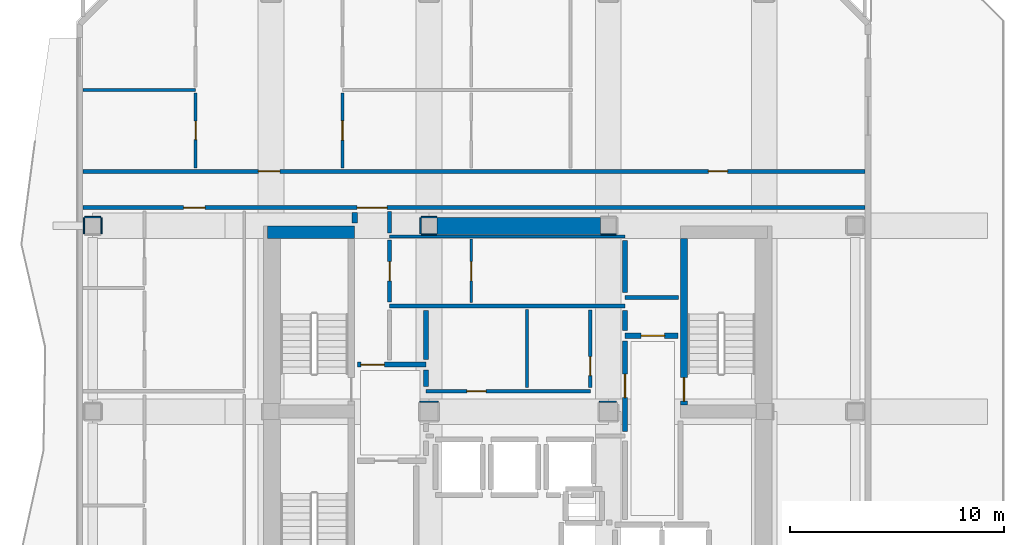
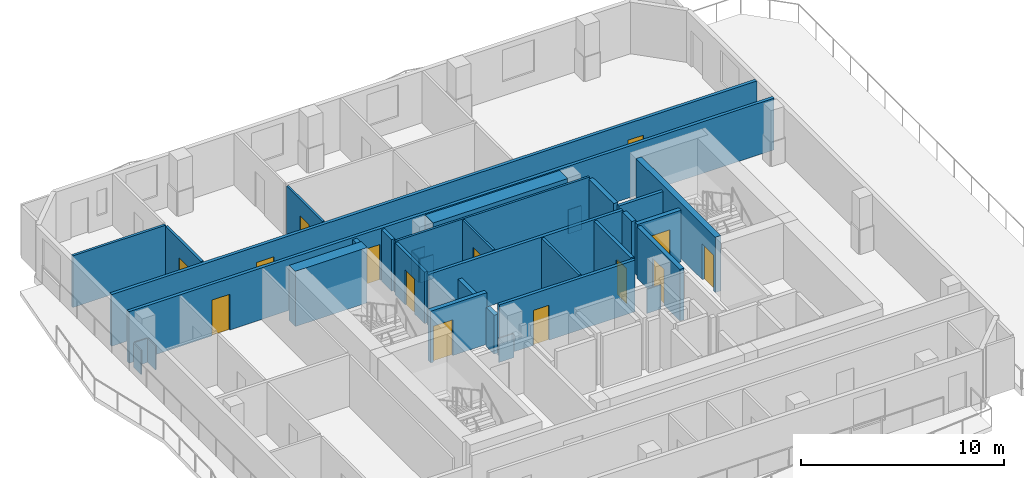
# One storey, part 4 of 10: 34 walls, 14 doors, 14 openings.
"""IFC4 building model written with IfcOpenShell, lengths in metres."""

from ifc_helpers import new_model, si_unit, direction, frame, frame_2d, origin, place, context, subcontext, project, spatial, rectangle, extrude, material, layer, layer_set, type_object, element, fill, save


model = new_model("IFC4")

# Units and contexts
model_context = context("Model", 3, precision=1e-05, world=origin(), true_north=direction((0.0, 1.0)))
body_context = subcontext(model_context, "Body", "Model", "MODEL_VIEW")
ifc_project = project(units=[si_unit("LENGTHUNIT", "METRE"), si_unit("AREAUNIT", "SQUARE_METRE"), si_unit("VOLUMEUNIT", "CUBIC_METRE"), si_unit("PLANEANGLEUNIT", "RADIAN"), si_unit("MASSUNIT", "GRAM", prefix="KILO")], contexts=[model_context])

# Site, building, storey
site_placement = place(None, origin())
site = spatial("IfcSite", under=ifc_project, at=site_placement, CompositionType="ELEMENT")
building_placement = place(site_placement, origin())
building = spatial("IfcBuilding", under=site, at=building_placement, Name="Solanera Arch Residences", CompositionType="ELEMENT")
storey_placement = place(building_placement, frame((0.0, 0.0, 251.199951171875)))
storey = spatial("IfcBuildingStorey", under=building, at=storey_placement, Name="L73", CompositionType="ELEMENT", Elevation=251.199951171875)

# Walls
ifc_material_1 = material(Name="Fire-Rated Gypsum Stud Partition", Category="gypsum")
ifc_layer_1 = layer(ifc_material_1, 0.06005859375)
ifc_layer_set_1 = layer_set([ifc_layer_1], Name="Fire-Rated Gypsum Stud Partition")
wall_type_1 = type_object("IfcWallType", Name="Column Acoustic Furring Wall 60", PredefinedType="PARTITIONING", material=ifc_layer_set_1)
for number, where, z_axis, x_axis, name in (
    (1, (20.425048828125, 38.992919921875, 0.0), (0.0, 0.0, 1.0), (1.0, 0.0, 0.0), "L73 Column Furring 3S"),
    (2, (20.425048828125, 39.806884765625, 0.0), (0.0, 0.0, 1.0), (1.0, 0.0, 0.0), "L73 Column Furring 3N"),
):
    element("IfcWall", number, at=place(storey_placement, frame(where, z_axis=z_axis, x_axis=x_axis)), inside=storey, type_object=wall_type_1, Name=name, PredefinedType="PARTITIONING", context=body_context, shape_type="SweptSolid", body=[
        extrude(rectangle(XDim=0.741943359375, YDim=0.06005859375, at=frame_2d((0.37109375, 0.0))), origin(), (0.0, 0.0, 1.0), 1.449951171875),
    ])
wall_1_placement = place(storey_placement, frame((20.39306640625, 39.02490234375, 0.0), z_axis=(0.0, 0.0, 1.0), x_axis=(0.0, 1.0, 0.0)))
element("IfcWall", 3, at=wall_1_placement, inside=storey, type_object=wall_type_1, Name="L73 Column Furring 3W", PredefinedType="PARTITIONING", context=body_context, shape_type="SweptSolid", body=[
    extrude(rectangle(XDim=0.75, YDim=0.06005859375, at=frame_2d((0.375, 0.0))), origin(), (0.0, 0.0, 1.0), 1.449951171875),
])
wall_2_placement = place(storey_placement, frame((28.8330078125, 38.992919921875, 0.0), z_axis=(0.0, 0.0, 1.0), x_axis=(1.0, 0.0, 0.0)))
element("IfcWall", 4, at=wall_2_placement, inside=storey, type_object=wall_type_1, Name="L73 Column Furring 4S", PredefinedType="PARTITIONING", context=body_context, shape_type="SweptSolid", body=[
    extrude(rectangle(XDim=0.741943359375, YDim=0.06005859375, at=frame_2d((0.37109375, 0.0))), origin(), (0.0, 0.0, 1.0), 1.449951171875),
])
wall_3_placement = place(storey_placement, frame((20.375, 31.156982421875, 0.0), z_axis=(0.0, 0.0, 1.0), x_axis=(1.0, 0.0, 0.0)))
element("IfcWall", 5, at=wall_3_placement, inside=storey, type_object=wall_type_1, Name="L73 Column Furring 7N", PredefinedType="PARTITIONING", context=body_context, shape_type="SweptSolid", body=[
    extrude(rectangle(XDim=0.85009765625, YDim=0.06005859375, at=frame_2d((0.425048828125, 0.0))), origin(), (0.0, 0.0, 1.0), 1.449951171875),
])
wall_4_placement = place(storey_placement, frame((28.77490234375, 31.156982421875, 0.0), z_axis=(0.0, 0.0, 1.0), x_axis=(1.0, 0.0, 0.0)))
element("IfcWall", 6, at=wall_4_placement, inside=storey, type_object=wall_type_1, Name="L73 Column Furring 8N", PredefinedType="PARTITIONING", context=body_context, shape_type="SweptSolid", body=[
    extrude(rectangle(XDim=0.794189453125, YDim=0.06005859375, at=frame_2d((0.39697265625, 0.0))), origin(), (0.0, 0.0, 1.0), 1.449951171875),
])
for number, where, z_axis, x_axis, name in (
    (7, (4.675048828125, 39.806884765625, 0.0), (0.0, 0.0, 1.0), (1.0, 0.0, 0.0), "L73 Column Furring 21N"),
    (8, (4.64306640625, 39.02490234375, 0.0), (0.0, 0.0, 1.0), (0.0, 1.0, 0.0), "L73 Column Furring 21W"),
    (9, (5.45703125, 39.02490234375, 0.0), (0.0, 0.0, 1.0), (0.0, 1.0, 0.0), "L73 Column Furring 21E"),
):
    element("IfcWall", number, at=place(storey_placement, frame(where, z_axis=z_axis, x_axis=x_axis)), inside=storey, type_object=wall_type_1, Name=name, PredefinedType="PARTITIONING", context=body_context, shape_type="SweptSolid", body=[
        extrude(rectangle(XDim=0.75, YDim=0.06005859375, at=frame_2d((0.375, 0.0))), origin(), (0.0, 0.0, 1.0), 1.449951171875),
    ])

# Wall, opening, door
ifc_material_2 = material(Name="Concrete C40/50 (f'c = 45 MPa)", Category="concrete")
ifc_layer_2 = layer(ifc_material_2, 0.320068359375)
ifc_layer_set_2 = layer_set([ifc_layer_2], Name="Concrete C40/50 (f'c = 45 MPa)")
wall_type_2 = type_object("IfcWallType", Name="Core Shear Wall CW-320", PredefinedType="SHEAR", material=ifc_layer_set_2)
wall_5_placement = place(storey_placement, frame((32.739990234375, 31.0, 0.0), z_axis=(0.0, 0.0, 1.0), x_axis=(0.0, 1.0, 0.0)))
wall_5 = element("IfcWall", 10, at=wall_5_placement, inside=storey, type_object=wall_type_2, Name="L73 Stair ST-T2 West Shear Wall", PredefinedType="SHEAR", context=body_context, shape_type="SweptSolid", body=[
    extrude(rectangle(XDim=7.800048828125, YDim=0.320068359375, at=frame_2d((3.89990234375, 0.0))), origin(), (0.0, 0.0, 1.0), 3.320068359375),
])
opening_1_placement = place(wall_5_placement, frame((0.18994140625, 0.0, 0.0)))
opening_1 = element("IfcOpeningElement", 11, at=opening_1_placement, cuts=wall_5, Name="Opening DF-01", PredefinedType="OPENING", context=body_context, shape_type="SweptSolid", body=[
    extrude(rectangle(XDim=1.10009765625, YDim=2.14990234375, at=frame_2d((0.550048828125, 1.074951171875))), frame((0.0, 0.169921875, 0.0), z_axis=(0.0, -1.0, 0.0), x_axis=(1.0, 0.0, 0.0)), (0.0, 0.0, 1.0), 0.3401),
])
ifc_material_3 = material(Name="Fire-Rated Architectural Hardwood", Category="wood")
door_type_1 = type_object("IfcDoorType", Name="Stair Exit Fire Door DF-01", OperationType="NOTDEFINED", PredefinedType="DOOR", material=ifc_material_3)
door_1_placement = place(opening_1_placement, origin())
door_1 = element("IfcDoor", 12, at=door_1_placement, inside=storey, type_object=door_type_1, Name="DR-L73-STAIR-ST-T2", OperationType="SINGLE_SWING_RIGHT", OverallHeight=2.14990234375, OverallWidth=1.10009765625, PredefinedType="DOOR", context=body_context, shape_type="SweptSolid", body=[
    extrude(rectangle(XDim=1.10009765625, YDim=2.14990234375, at=frame_2d((0.550048828125, 1.074951171875))), frame((0.0, 0.02490234375, 0.0), z_axis=(0.0, -1.0, 0.0), x_axis=(1.0, 0.0, 0.0)), (0.0, 0.0, 1.0), 0.050048828125),
])
fill(opening_1, door_1)

# Walls
ifc_material_4 = material(Name="Concrete C40/50 (f'c = 45 MPa)", Category="concrete")
ifc_layer_3 = layer(ifc_material_4, 0.60009765625)
ifc_layer_set_3 = layer_set([ifc_layer_3], Name="Concrete C40/50 (f'c = 45 MPa)")
wall_type_3 = type_object("IfcWallType", Name="Core Shear Wall CW-600", PredefinedType="SHEAR", material=ifc_layer_set_3)
wall_6_placement = place(storey_placement, frame((13.239990234375, 39.10009765625, 0.0), z_axis=(0.0, 0.0, 1.0), x_axis=(1.0, 0.0, 0.0)))
element("IfcWall", 13, at=wall_6_placement, inside=storey, type_object=wall_type_3, Name="L73 North-West Core Shear Wall", PredefinedType="SHEAR", context=body_context, shape_type="SweptSolid", body=[
    extrude(rectangle(XDim=4.080078125, YDim=0.60009765625, at=frame_2d((2.0400390625, 0.0))), origin(), (0.0, 0.0, 1.0), 3.320068359375),
])
ifc_material_5 = material(Name="Concrete C40/50 (f'c = 45 MPa)", Category="concrete")
ifc_layer_4 = layer(ifc_material_5, 0.800048828125)
ifc_layer_set_4 = layer_set([ifc_layer_4], Name="Concrete C40/50 (f'c = 45 MPa)")
wall_type_4 = type_object("IfcWallType", Name="Core Shear Wall CW-800", PredefinedType="SHEAR", material=ifc_layer_set_4)
wall_7_placement = place(storey_placement, frame((21.179931640625, 39.39990234375, 0.0), z_axis=(0.0, 0.0, 1.0), x_axis=(1.0, 0.0, 0.0)))
element("IfcWall", 14, at=wall_7_placement, inside=storey, type_object=wall_type_4, Name="L73 Central North Core Shear Wall", PredefinedType="SHEAR", context=body_context, shape_type="SweptSolid", body=[
    extrude(rectangle(XDim=7.64013671875, YDim=0.800048828125, at=frame_2d((3.820068359375, 0.0))), origin(), (0.0, 0.0, 1.0), 3.320068359375),
])

# Wall, opening, door
ifc_material_6 = material(Name="Autoclaved Aerated Concrete Blockwork", Category="masonry")
ifc_layer_5 = layer(ifc_material_6, 0.179931640625)
ifc_layer_set_5 = layer_set([ifc_layer_5], Name="Autoclaved Aerated Concrete Blockwork")
wall_type_5 = type_object("IfcWallType", Name="Corridor Fire Partition 180", PredefinedType="PARTITIONING", material=ifc_layer_set_5)
wall_8_placement = place(storey_placement, frame((20.64990234375, 31.64990234375, 0.0), z_axis=(0.0, 0.0, 1.0), x_axis=(1.0, 0.0, 0.0)))
wall_8 = element("IfcWall", 15, at=wall_8_placement, inside=storey, type_object=wall_type_5, Name="L73 Interior Partition H9", PredefinedType="PARTITIONING", context=body_context, shape_type="SweptSolid", body=[
    extrude(rectangle(XDim=7.7001953125, YDim=0.179931640625, at=frame_2d((3.85009765625, 0.0))), origin(), (0.0, 0.0, 1.0), 3.10009765625),
])
opening_2_placement = place(wall_8_placement, frame((1.924072265625, 0.0, 0.0)))
opening_2 = element("IfcOpeningElement", 16, at=opening_2_placement, cuts=wall_8, Name="Opening DI-02", PredefinedType="OPENING", context=body_context, shape_type="SweptSolid", body=[
    extrude(rectangle(XDim=0.89990234375, YDim=2.10009765625, at=frame_2d((0.449951171875, 1.050048828125))), frame((0.0, 0.10009765625, 0.0), z_axis=(0.0, -1.0, 0.0), x_axis=(1.0, 0.0, 0.0)), (0.0, 0.0, 1.0), 0.1999),
])
ifc_material_7 = material(Name="Fire-Rated Architectural Hardwood", Category="wood")
door_type_2 = type_object("IfcDoorType", Name="Suite Room Swing Door DI-02", OperationType="NOTDEFINED", PredefinedType="DOOR", material=ifc_material_7)
door_2_placement = place(opening_2_placement, origin())
door_2 = element("IfcDoor", 17, at=door_2_placement, inside=storey, type_object=door_type_2, Name="DR-L73-IN-012", OperationType="SINGLE_SWING_RIGHT", OverallHeight=2.10009765625, OverallWidth=0.89990234375, PredefinedType="DOOR", context=body_context, shape_type="SweptSolid", body=[
    extrude(rectangle(XDim=0.89990234375, YDim=2.10009765625, at=frame_2d((0.449951171875, 1.050048828125))), frame((0.0, 0.02490234375, 0.0), z_axis=(0.0, -1.0, 0.0), x_axis=(1.0, 0.0, 0.0)), (0.0, 0.0, 1.0), 0.050048828125),
])
fill(opening_2, door_2)

# Walls
wall_9_placement = place(storey_placement, frame((18.949951171875, 35.64990234375, 0.0), z_axis=(0.0, 0.0, 1.0), x_axis=(1.0, 0.0, 0.0)))
element("IfcWall", 18, at=wall_9_placement, inside=storey, type_object=wall_type_5, Name="L73 Interior Partition H10", PredefinedType="PARTITIONING", context=body_context, shape_type="SweptSolid", body=[
    extrude(rectangle(XDim=11.025146484375, YDim=0.179931640625, at=frame_2d((5.5126953125, 0.0))), origin(), (0.0, 0.0, 1.0), 3.10009765625),
])
wall_10_placement = place(storey_placement, frame((29.97509765625, 36.050048828125, 0.0), z_axis=(0.0, 0.0, 1.0), x_axis=(1.0, 0.0, 0.0)))
element("IfcWall", 19, at=wall_10_placement, inside=storey, type_object=wall_type_5, Name="L73 Interior Partition H11", PredefinedType="PARTITIONING", context=body_context, shape_type="SweptSolid", body=[
    extrude(rectangle(XDim=2.5048828125, YDim=0.179931640625, at=frame_2d((1.25244140625, 0.0))), origin(), (0.0, 0.0, 1.0), 3.10009765625),
])

# Wall, openings, doors
wall_11_placement = place(storey_placement, frame((4.5869140625, 40.25, 0.0), z_axis=(0.0, 0.0, 1.0), x_axis=(1.0, 0.0, 0.0)))
wall_11 = element("IfcWall", 20, at=wall_11_placement, inside=storey, type_object=wall_type_5, Name="L73 Interior Partition H12", PredefinedType="PARTITIONING", context=body_context, shape_type="SweptSolid", body=[
    extrude(rectangle(XDim=36.6259765625, YDim=0.179931640625, at=frame_2d((18.31298828125, 0.0))), origin(), (0.0, 0.0, 1.0), 3.10009765625),
])
opening_3_placement = place(wall_11_placement, frame((12.847900390625, 0.0, 0.0)))
opening_3 = element("IfcOpeningElement", 21, at=opening_3_placement, cuts=wall_11, Name="Opening DF-03", PredefinedType="OPENING", context=body_context, shape_type="SweptSolid", body=[
    extrude(rectangle(XDim=1.39990234375, YDim=2.14990234375, at=frame_2d((0.699951171875, 1.074951171875))), frame((0.0, 0.10009765625, 0.0), z_axis=(0.0, -1.0, 0.0), x_axis=(1.0, 0.0, 0.0)), (0.0, 0.0, 1.0), 0.1999),
])
opening_4_placement = place(wall_11_placement, frame((4.722900390625, 0.0, 0.0)))
opening_4 = element("IfcOpeningElement", 22, at=opening_4_placement, cuts=wall_11, Name="Opening DI-01", PredefinedType="OPENING", context=body_context, shape_type="SweptSolid", body=[
    extrude(rectangle(XDim=1.0, YDim=2.14990234375, at=frame_2d((0.5, 1.074951171875))), frame((0.0, 0.10009765625, 0.0), z_axis=(0.0, -1.0, 0.0), x_axis=(1.0, 0.0, 0.0)), (0.0, 0.0, 1.0), 0.1999),
])
ifc_material_8 = material(Name="Fire-Rated Architectural Hardwood", Category="wood")
door_type_3 = type_object("IfcDoorType", Name="Corridor Smoke Door DF-03", OperationType="NOTDEFINED", PredefinedType="DOOR", material=ifc_material_8)
door_3_placement = place(opening_3_placement, origin())
door_3 = element("IfcDoor", 23, at=door_3_placement, inside=storey, type_object=door_type_3, Name="DR-L73-IN-009", OperationType="SINGLE_SWING_LEFT", OverallHeight=2.14990234375, OverallWidth=1.39990234375, PredefinedType="DOOR", context=body_context, shape_type="SweptSolid", body=[
    extrude(rectangle(XDim=1.39990234375, YDim=2.14990234375, at=frame_2d((0.699951171875, 1.074951171875))), frame((0.0, 0.02490234375, 0.0), z_axis=(0.0, -1.0, 0.0), x_axis=(1.0, 0.0, 0.0)), (0.0, 0.0, 1.0), 0.050048828125),
])
fill(opening_3, door_3)
ifc_material_9 = material(Name="Fire-Rated Architectural Hardwood", Category="wood")
door_type_4 = type_object("IfcDoorType", Name="Unit Entrance Fire Door DI-01", OperationType="NOTDEFINED", PredefinedType="DOOR", material=ifc_material_9)
door_4_placement = place(opening_4_placement, origin())
door_4 = element("IfcDoor", 24, at=door_4_placement, inside=storey, type_object=door_type_4, Name="DR-L73-IN-031", OperationType="SINGLE_SWING_LEFT", OverallHeight=2.14990234375, OverallWidth=1.0, PredefinedType="DOOR", context=body_context, shape_type="SweptSolid", body=[
    extrude(rectangle(XDim=1.0, YDim=2.14990234375, at=frame_2d((0.5, 1.074951171875))), frame((0.0, 0.02490234375, 0.0), z_axis=(0.0, -1.0, 0.0), x_axis=(1.0, 0.0, 0.0)), (0.0, 0.0, 1.0), 0.050048828125),
])
fill(opening_4, door_4)

wall_12_placement = place(storey_placement, frame((4.5869140625, 41.949951171875, 0.0), z_axis=(0.0, 0.0, 1.0), x_axis=(1.0, 0.0, 0.0)))
wall_12 = element("IfcWall", 25, at=wall_12_placement, inside=storey, type_object=wall_type_5, Name="L73 Interior Partition H13", PredefinedType="PARTITIONING", context=body_context, shape_type="SweptSolid", body=[
    extrude(rectangle(XDim=36.6259765625, YDim=0.179931640625, at=frame_2d((18.31298828125, 0.0))), origin(), (0.0, 0.0, 1.0), 3.10009765625),
])
opening_5_placement = place(wall_12_placement, frame((8.222900390625, 0.0, 0.0)))
opening_5 = element("IfcOpeningElement", 26, at=opening_5_placement, cuts=wall_12, Name="Opening DI-01", PredefinedType="OPENING", context=body_context, shape_type="SweptSolid", body=[
    extrude(rectangle(XDim=1.0, YDim=2.14990234375, at=frame_2d((0.5, 1.074951171875))), frame((0.0, 0.10009765625, 0.0), z_axis=(0.0, -1.0, 0.0), x_axis=(1.0, 0.0, 0.0)), (0.0, 0.0, 1.0), 0.1999),
])
opening_6_placement = place(wall_12_placement, frame((29.299072265625, 0.0, 0.0)))
opening_6 = element("IfcOpeningElement", 27, at=opening_6_placement, cuts=wall_12, Name="Opening DI-02", PredefinedType="OPENING", context=body_context, shape_type="SweptSolid", body=[
    extrude(rectangle(XDim=0.89990234375, YDim=2.10009765625, at=frame_2d((0.449951171875, 1.050048828125))), frame((0.0, 0.10009765625, 0.0), z_axis=(0.0, -1.0, 0.0), x_axis=(1.0, 0.0, 0.0)), (0.0, 0.0, 1.0), 0.1999),
])
door_5_placement = place(opening_6_placement, origin())
door_5 = element("IfcDoor", 28, at=door_5_placement, inside=storey, type_object=door_type_2, Name="DR-L73-IN-027", OperationType="SINGLE_SWING_LEFT", OverallHeight=2.10009765625, OverallWidth=0.89990234375, PredefinedType="DOOR", context=body_context, shape_type="SweptSolid", body=[
    extrude(rectangle(XDim=0.89990234375, YDim=2.10009765625, at=frame_2d((0.449951171875, 1.050048828125))), frame((0.0, 0.02490234375, 0.0), z_axis=(0.0, -1.0, 0.0), x_axis=(1.0, 0.0, 0.0)), (0.0, 0.0, 1.0), 0.050048828125),
])
fill(opening_6, door_5)
door_6_placement = place(opening_5_placement, origin())
door_6 = element("IfcDoor", 29, at=door_6_placement, inside=storey, type_object=door_type_4, Name="DR-L73-IN-020", OperationType="SINGLE_SWING_RIGHT", OverallHeight=2.14990234375, OverallWidth=1.0, PredefinedType="DOOR", context=body_context, shape_type="SweptSolid", body=[
    extrude(rectangle(XDim=1.0, YDim=2.14990234375, at=frame_2d((0.5, 1.074951171875))), frame((0.0, 0.02490234375, 0.0), z_axis=(0.0, -1.0, 0.0), x_axis=(1.0, 0.0, 0.0)), (0.0, 0.0, 1.0), 0.050048828125),
])
fill(opening_5, door_6)

# Wall, opening, door
wall_13_placement = place(storey_placement, frame((18.949951171875, 35.837890625, 0.0), z_axis=(0.0, 0.0, 1.0), x_axis=(0.0, 1.0, 0.0)))
wall_13 = element("IfcWall", 30, at=wall_13_placement, inside=storey, type_object=wall_type_5, Name="L73 Interior Partition V7 2", PredefinedType="PARTITIONING", context=body_context, shape_type="SweptSolid", body=[
    extrude(rectangle(XDim=2.904052734375, YDim=0.179931640625, at=frame_2d((1.4521484375, 0.0))), origin(), (0.0, 0.0, 1.0), 3.10009765625),
])
opening_7_placement = place(wall_13_placement, frame((0.987060546875, 0.0, 0.0)))
opening_7 = element("IfcOpeningElement", 31, at=opening_7_placement, cuts=wall_13, Name="Opening DI-02", PredefinedType="OPENING", context=body_context, shape_type="SweptSolid", body=[
    extrude(rectangle(XDim=0.89990234375, YDim=2.10009765625, at=frame_2d((0.449951171875, 1.050048828125))), frame((0.0, 0.10009765625, 0.0), z_axis=(0.0, -1.0, 0.0), x_axis=(1.0, 0.0, 0.0)), (0.0, 0.0, 1.0), 0.1999),
])
door_7_placement = place(opening_7_placement, origin())
door_7 = element("IfcDoor", 32, at=door_7_placement, inside=storey, type_object=door_type_2, Name="DR-L73-IN-010", OperationType="SINGLE_SWING_RIGHT", OverallHeight=2.10009765625, OverallWidth=0.89990234375, PredefinedType="DOOR", context=body_context, shape_type="SweptSolid", body=[
    extrude(rectangle(XDim=0.89990234375, YDim=2.10009765625, at=frame_2d((0.449951171875, 1.050048828125))), frame((0.0, 0.02490234375, 0.0), z_axis=(0.0, -1.0, 0.0), x_axis=(1.0, 0.0, 0.0)), (0.0, 0.0, 1.0), 0.050048828125),
])
fill(opening_7, door_7)

# Wall
wall_14_placement = place(storey_placement, frame((18.949951171875, 39.05810546875, 0.0), z_axis=(0.0, 0.0, 1.0), x_axis=(0.0, 1.0, 0.0)))
element("IfcWall", 33, at=wall_14_placement, inside=storey, type_object=wall_type_5, Name="L73 Interior Partition V7 3", PredefinedType="PARTITIONING", context=body_context, shape_type="SweptSolid", body=[
    extrude(rectangle(XDim=1.00390625, YDim=0.179931640625, at=frame_2d((0.501953125, 0.0))), origin(), (0.0, 0.0, 1.0), 3.10009765625),
])

# Wall, opening, door
wall_15_placement = place(storey_placement, frame((28.35009765625, 31.837890625, 0.0), z_axis=(0.0, 0.0, 1.0), x_axis=(0.0, 1.0, 0.0)))
wall_15 = element("IfcWall", 34, at=wall_15_placement, inside=storey, type_object=wall_type_5, Name="L73 Interior Partition V8", PredefinedType="PARTITIONING", context=body_context, shape_type="SweptSolid", body=[
    extrude(rectangle(XDim=3.6240234375, YDim=0.179931640625, at=frame_2d((1.81201171875, 0.0))), origin(), (0.0, 0.0, 1.0), 3.10009765625),
])
opening_8_placement = place(wall_15_placement, frame((0.541015625, 0.0, 0.0)))
opening_8 = element("IfcOpeningElement", 35, at=opening_8_placement, cuts=wall_15, Name="Opening DI-02", PredefinedType="OPENING", context=body_context, shape_type="SweptSolid", body=[
    extrude(rectangle(XDim=0.89990234375, YDim=2.10009765625, at=frame_2d((0.449951171875, 1.050048828125))), frame((0.0, 0.10009765625, 0.0), z_axis=(0.0, -1.0, 0.0), x_axis=(1.0, 0.0, 0.0)), (0.0, 0.0, 1.0), 0.1999),
])
door_8_placement = place(opening_8_placement, origin())
door_8 = element("IfcDoor", 36, at=door_8_placement, inside=storey, type_object=door_type_2, Name="DR-L73-IN-013", OperationType="SINGLE_SWING_LEFT", OverallHeight=2.10009765625, OverallWidth=0.89990234375, PredefinedType="DOOR", context=body_context, shape_type="SweptSolid", body=[
    extrude(rectangle(XDim=0.89990234375, YDim=2.10009765625, at=frame_2d((0.449951171875, 1.050048828125))), frame((0.0, 0.02490234375, 0.0), z_axis=(0.0, -1.0, 0.0), x_axis=(1.0, 0.0, 0.0)), (0.0, 0.0, 1.0), 0.050048828125),
])
fill(opening_8, door_8)

ifc_material_10 = material(Name="Autoclaved Aerated Concrete Blockwork", Category="masonry")
ifc_layer_6 = layer(ifc_material_10, 0.239990234375)
ifc_layer_set_6 = layer_set([ifc_layer_6], Name="Autoclaved Aerated Concrete Blockwork")
wall_type_6 = type_object("IfcWallType", Name="Shaft Wall Fire-Rated 240", PredefinedType="PARTITIONING", material=ifc_layer_set_6)
wall_16_placement = place(storey_placement, frame((17.449951171875, 32.89990234375, 0.0), z_axis=(0.0, 0.0, 1.0), x_axis=(1.0, 0.0, 0.0)))
wall_16 = element("IfcWall", 37, at=wall_16_placement, inside=storey, type_object=wall_type_6, Name="L73 Interior Partition H4", PredefinedType="PARTITIONING", context=body_context, shape_type="SweptSolid", body=[
    extrude(rectangle(XDim=3.199951171875, YDim=0.239990234375, at=frame_2d((1.60009765625, 0.0))), origin(), (0.0, 0.0, 1.0), 3.10009765625),
])
opening_9_placement = place(wall_16_placement, frame((0.158935546875, 0.0, 0.0)))
opening_9 = element("IfcOpeningElement", 38, at=opening_9_placement, cuts=wall_16, Name="Opening DF-02", PredefinedType="OPENING", context=body_context, shape_type="SweptSolid", body=[
    extrude(rectangle(XDim=1.10009765625, YDim=2.14990234375, at=frame_2d((0.550048828125, 1.074951171875))), frame((0.0, 0.1298828125, 0.0), z_axis=(0.0, -1.0, 0.0), x_axis=(1.0, 0.0, 0.0)), (0.0, 0.0, 1.0), 0.26),
])
ifc_material_11 = material(Name="Fire-Rated Architectural Hardwood", Category="wood")
door_type_5 = type_object("IfcDoorType", Name="Firefighting Lobby Fire Door DF-02", OperationType="NOTDEFINED", PredefinedType="DOOR", material=ifc_material_11)
door_9_placement = place(opening_9_placement, origin())
door_9 = element("IfcDoor", 39, at=door_9_placement, inside=storey, type_object=door_type_5, Name="DR-L73-IN-005", OperationType="SINGLE_SWING_LEFT", OverallHeight=2.14990234375, OverallWidth=1.10009765625, PredefinedType="DOOR", context=body_context, shape_type="SweptSolid", body=[
    extrude(rectangle(XDim=1.10009765625, YDim=2.14990234375, at=frame_2d((0.550048828125, 1.074951171875))), frame((0.0, 0.02490234375, 0.0), z_axis=(0.0, -1.0, 0.0), x_axis=(1.0, 0.0, 0.0)), (0.0, 0.0, 1.0), 0.050048828125),
])
fill(opening_9, door_9)

wall_17_placement = place(storey_placement, frame((29.97509765625, 34.25, 0.0), z_axis=(0.0, 0.0, 1.0), x_axis=(1.0, 0.0, 0.0)))
wall_17 = element("IfcWall", 40, at=wall_17_placement, inside=storey, type_object=wall_type_6, Name="L73 Interior Partition H5", PredefinedType="PARTITIONING", context=body_context, shape_type="SweptSolid", body=[
    extrude(rectangle(XDim=2.474853515625, YDim=0.239990234375, at=frame_2d((1.2373046875, 0.0))), origin(), (0.0, 0.0, 1.0), 3.10009765625),
])
opening_10_placement = place(wall_17_placement, frame((0.751953125, 0.0, 0.0)))
opening_10 = element("IfcOpeningElement", 41, at=opening_10_placement, cuts=wall_17, Name="Opening DF-02", PredefinedType="OPENING", context=body_context, shape_type="SweptSolid", body=[
    extrude(rectangle(XDim=1.10009765625, YDim=2.14990234375, at=frame_2d((0.550048828125, 1.074951171875))), frame((0.0, 0.1298828125, 0.0), z_axis=(0.0, -1.0, 0.0), x_axis=(1.0, 0.0, 0.0)), (0.0, 0.0, 1.0), 0.26),
])
door_10_placement = place(opening_10_placement, origin())
door_10 = element("IfcDoor", 42, at=door_10_placement, inside=storey, type_object=door_type_5, Name="DR-L73-IN-007", OperationType="SINGLE_SWING_LEFT", OverallHeight=2.14990234375, OverallWidth=1.10009765625, PredefinedType="DOOR", context=body_context, shape_type="SweptSolid", body=[
    extrude(rectangle(XDim=1.10009765625, YDim=2.14990234375, at=frame_2d((0.550048828125, 1.074951171875))), frame((0.0, 0.02490234375, 0.0), z_axis=(0.0, -1.0, 0.0), x_axis=(1.0, 0.0, 0.0)), (0.0, 0.0, 1.0), 0.050048828125),
])
fill(opening_10, door_10)

# Walls
wall_18_placement = place(storey_placement, frame((17.320068359375, 39.530029296875, 0.0), z_axis=(0.0, 0.0, 1.0), x_axis=(0.0, 1.0, 0.0)))
element("IfcWall", 43, at=wall_18_placement, inside=storey, type_object=wall_type_6, Name="L73 Interior Partition V1", PredefinedType="PARTITIONING", context=body_context, shape_type="SweptSolid", body=[
    extrude(rectangle(XDim=0.501953125, YDim=0.239990234375, at=frame_2d((0.2509765625, 0.0))), origin(), (0.0, 0.0, 1.0), 3.10009765625),
])
wall_19_placement = place(storey_placement, frame((20.64990234375, 31.867919921875, 0.0), z_axis=(0.0, 0.0, 1.0), x_axis=(0.0, 1.0, 0.0)))
element("IfcWall", 44, at=wall_19_placement, inside=storey, type_object=wall_type_6, Name="L73 Interior Partition V3 3", PredefinedType="PARTITIONING", context=body_context, shape_type="SweptSolid", body=[
    extrude(rectangle(XDim=0.7841796875, YDim=0.239990234375, at=frame_2d((0.39208984375, 0.0))), origin(), (0.0, 0.0, 1.0), 2.3349609375),
])
wall_20_placement = place(storey_placement, frame((20.64990234375, 33.14794921875, 0.0), z_axis=(0.0, 0.0, 1.0), x_axis=(0.0, 1.0, 0.0)))
element("IfcWall", 45, at=wall_20_placement, inside=storey, type_object=wall_type_6, Name="L73 Interior Partition V3 4", PredefinedType="PARTITIONING", context=body_context, shape_type="SweptSolid", body=[
    extrude(rectangle(XDim=2.283935546875, YDim=0.239990234375, at=frame_2d((1.14208984375, 0.0))), origin(), (0.0, 0.0, 1.0), 2.3349609375),
])

# Wall, opening, door
wall_21_placement = place(storey_placement, frame((29.97509765625, 29.76806640625, 0.0), z_axis=(0.0, 0.0, 1.0), x_axis=(0.0, 1.0, 0.0)))
wall_21 = element("IfcWall", 46, at=wall_21_placement, inside=storey, type_object=wall_type_6, Name="L73 Interior Partition V4 2", PredefinedType="PARTITIONING", context=body_context, shape_type="SweptSolid", body=[
    extrude(rectangle(XDim=4.23388671875, YDim=0.239990234375, at=frame_2d((2.116943359375, 0.0))), origin(), (0.0, 0.0, 1.0), 3.10009765625),
])
opening_11_placement = place(wall_21_placement, frame((1.58203125, 0.0, 0.0)))
opening_11 = element("IfcOpeningElement", 47, at=opening_11_placement, cuts=wall_21, Name="Opening DF-02", PredefinedType="OPENING", context=body_context, shape_type="SweptSolid", body=[
    extrude(rectangle(XDim=1.10009765625, YDim=2.14990234375, at=frame_2d((0.550048828125, 1.074951171875))), frame((0.0, 0.1298828125, 0.0), z_axis=(0.0, -1.0, 0.0), x_axis=(1.0, 0.0, 0.0)), (0.0, 0.0, 1.0), 0.26),
])
door_11_placement = place(opening_11_placement, origin())
door_11 = element("IfcDoor", 48, at=door_11_placement, inside=storey, type_object=door_type_5, Name="DR-L73-IN-006", OperationType="SINGLE_SWING_RIGHT", OverallHeight=2.14990234375, OverallWidth=1.10009765625, PredefinedType="DOOR", context=body_context, shape_type="SweptSolid", body=[
    extrude(rectangle(XDim=1.10009765625, YDim=2.14990234375, at=frame_2d((0.550048828125, 1.074951171875))), frame((0.0, 0.02490234375, 0.0), z_axis=(0.0, -1.0, 0.0), x_axis=(1.0, 0.0, 0.0)), (0.0, 0.0, 1.0), 0.050048828125),
])
fill(opening_11, door_11)

# Walls
wall_22_placement = place(storey_placement, frame((29.97509765625, 34.498046875, 0.0), z_axis=(0.0, 0.0, 1.0), x_axis=(0.0, 1.0, 0.0)))
element("IfcWall", 49, at=wall_22_placement, inside=storey, type_object=wall_type_6, Name="L73 Interior Partition V4 3", PredefinedType="PARTITIONING", context=body_context, shape_type="SweptSolid", body=[
    extrude(rectangle(XDim=0.933837890625, YDim=0.239990234375, at=frame_2d((0.466796875, 0.0))), origin(), (0.0, 0.0, 1.0), 3.10009765625),
])
wall_23_placement = place(storey_placement, frame((29.97509765625, 36.26806640625, 0.0), z_axis=(0.0, 0.0, 1.0), x_axis=(0.0, 1.0, 0.0)))
element("IfcWall", 50, at=wall_23_placement, inside=storey, type_object=wall_type_6, Name="L73 Interior Partition V4 4", PredefinedType="PARTITIONING", context=body_context, shape_type="SweptSolid", body=[
    extrude(rectangle(XDim=2.44384765625, YDim=0.239990234375, at=frame_2d((1.221923828125, 0.0))), origin(), (0.0, 0.0, 1.0), 3.10009765625),
])
ifc_material_12 = material(Name="Fire-Rated Gypsum Stud Partition", Category="gypsum")
ifc_layer_7 = layer(ifc_material_12, 0.1201171875)
ifc_layer_set_7 = layer_set([ifc_layer_7], Name="Fire-Rated Gypsum Stud Partition")
wall_type_7 = type_object("IfcWallType", Name="Unit Drywall Partition 120", PredefinedType="PARTITIONING", material=ifc_layer_set_7)
wall_24_placement = place(storey_placement, frame((18.949951171875, 38.89990234375, 0.0), z_axis=(0.0, 0.0, 1.0), x_axis=(1.0, 0.0, 0.0)))
element("IfcWall", 51, at=wall_24_placement, inside=storey, type_object=wall_type_7, Name="L73 Interior Partition H19", PredefinedType="PARTITIONING", context=body_context, shape_type="SweptSolid", body=[
    extrude(rectangle(XDim=11.025146484375, YDim=0.1201171875, at=frame_2d((5.5126953125, 0.0))), origin(), (0.0, 0.0, 1.0), 3.10009765625),
])

# Wall, opening, door
wall_25_placement = place(storey_placement, frame((16.748046875, 42.10791015625, 0.0), z_axis=(0.0, 0.0, 1.0), x_axis=(0.0, 1.0, 0.0)))
wall_25 = element("IfcWall", 52, at=wall_25_placement, inside=storey, type_object=wall_type_7, Name="L73 Interior Partition V19 1", PredefinedType="PARTITIONING", context=body_context, shape_type="SweptSolid", body=[
    extrude(rectangle(XDim=3.510009765625, YDim=0.1201171875, at=frame_2d((1.7548828125, 0.0))), origin(), (0.0, 0.0, 1.0), 3.10009765625),
])
opening_12_placement = place(wall_25_placement, frame((1.30810546875, 0.0, 0.0)))
opening_12 = element("IfcOpeningElement", 53, at=opening_12_placement, cuts=wall_25, Name="Opening DI-02", PredefinedType="OPENING", context=body_context, shape_type="SweptSolid", body=[
    extrude(rectangle(XDim=0.89990234375, YDim=2.10009765625, at=frame_2d((0.449951171875, 1.050048828125))), frame((0.0, 0.070068359375, 0.0), z_axis=(0.0, -1.0, 0.0), x_axis=(1.0, 0.0, 0.0)), (0.0, 0.0, 1.0), 0.1401),
])
door_12_placement = place(opening_12_placement, origin())
door_12 = element("IfcDoor", 54, at=door_12_placement, inside=storey, type_object=door_type_2, Name="DR-L73-IN-023", OperationType="SINGLE_SWING_LEFT", OverallHeight=2.10009765625, OverallWidth=0.89990234375, PredefinedType="DOOR", context=body_context, shape_type="SweptSolid", body=[
    extrude(rectangle(XDim=0.89990234375, YDim=2.10009765625, at=frame_2d((0.449951171875, 1.050048828125))), frame((0.0, 0.02490234375, 0.0), z_axis=(0.0, -1.0, 0.0), x_axis=(1.0, 0.0, 0.0)), (0.0, 0.0, 1.0), 0.050048828125),
])
fill(opening_12, door_12)

wall_26_placement = place(storey_placement, frame((22.780029296875, 35.80810546875, 0.0), z_axis=(0.0, 0.0, 1.0), x_axis=(0.0, 1.0, 0.0)))
wall_26 = element("IfcWall", 55, at=wall_26_placement, inside=storey, type_object=wall_type_7, Name="L73 Interior Partition V20", PredefinedType="PARTITIONING", context=body_context, shape_type="SweptSolid", body=[
    extrude(rectangle(XDim=2.9638671875, YDim=0.1201171875, at=frame_2d((1.48193359375, 0.0))), origin(), (0.0, 0.0, 1.0), 3.10009765625),
])
opening_13_placement = place(wall_26_placement, frame((1.01708984375, 0.0, 0.0)))
opening_13 = element("IfcOpeningElement", 56, at=opening_13_placement, cuts=wall_26, Name="Opening DI-02", PredefinedType="OPENING", context=body_context, shape_type="SweptSolid", body=[
    extrude(rectangle(XDim=0.89990234375, YDim=2.10009765625, at=frame_2d((0.449951171875, 1.050048828125))), frame((0.0, 0.070068359375, 0.0), z_axis=(0.0, -1.0, 0.0), x_axis=(1.0, 0.0, 0.0)), (0.0, 0.0, 1.0), 0.1401),
])
door_13_placement = place(opening_13_placement, origin())
door_13 = element("IfcDoor", 57, at=door_13_placement, inside=storey, type_object=door_type_2, Name="DR-L73-IN-011", OperationType="SINGLE_SWING_LEFT", OverallHeight=2.10009765625, OverallWidth=0.89990234375, PredefinedType="DOOR", context=body_context, shape_type="SweptSolid", body=[
    extrude(rectangle(XDim=0.89990234375, YDim=2.10009765625, at=frame_2d((0.449951171875, 1.050048828125))), frame((0.0, 0.02490234375, 0.0), z_axis=(0.0, -1.0, 0.0), x_axis=(1.0, 0.0, 0.0)), (0.0, 0.0, 1.0), 0.050048828125),
])
fill(opening_13, door_13)

# Wall
ifc_material_13 = material(Name="Autoclaved Aerated Concrete Blockwork", Category="masonry")
ifc_layer_8 = layer(ifc_material_13, 0.139892578125)
ifc_layer_set_8 = layer_set([ifc_layer_8], Name="Autoclaved Aerated Concrete Blockwork")
wall_type_8 = type_object("IfcWallType", Name="Wet-Room Partition 140", PredefinedType="PARTITIONING", material=ifc_layer_set_8)
wall_27_placement = place(storey_placement, frame((4.5869140625, 45.756103515625, 0.0), z_axis=(0.0, 0.0, 1.0), x_axis=(1.0, 0.0, 0.0)))
element("IfcWall", 58, at=wall_27_placement, inside=storey, type_object=wall_type_8, Name="L73 Interior Partition H17", PredefinedType="PARTITIONING", context=body_context, shape_type="SweptSolid", body=[
    extrude(rectangle(XDim=5.28515625, YDim=0.139892578125, at=frame_2d((2.642578125, 0.0))), origin(), (0.0, 0.0, 1.0), 3.10009765625),
])

# Wall, opening, door
wall_28_placement = place(storey_placement, frame((9.8720703125, 42.117919921875, 0.0), z_axis=(0.0, 0.0, 1.0), x_axis=(0.0, 1.0, 0.0)))
wall_28 = element("IfcWall", 59, at=wall_28_placement, inside=storey, type_object=wall_type_8, Name="L73 Interior Partition V13 1", PredefinedType="PARTITIONING", context=body_context, shape_type="SweptSolid", body=[
    extrude(rectangle(XDim=3.489990234375, YDim=0.139892578125, at=frame_2d((1.7451171875, 0.0))), origin(), (0.0, 0.0, 1.0), 3.10009765625),
])
opening_14_placement = place(wall_28_placement, frame((1.318115234375, 0.0, 0.0)))
opening_14 = element("IfcOpeningElement", 60, at=opening_14_placement, cuts=wall_28, Name="Opening DI-05", PredefinedType="OPENING", context=body_context, shape_type="SweptSolid", body=[
    extrude(rectangle(XDim=0.860107421875, YDim=2.02001953125, at=frame_2d((0.43017578125, 1.010009765625))), frame((0.0, 0.079833984375, 0.0), z_axis=(0.0, -1.0, 0.0), x_axis=(1.0, 0.0, 0.0)), (0.0, 0.0, 1.0), 0.1599),
])
ifc_material_14 = material(Name="Fire-Rated Architectural Hardwood", Category="wood")
door_type_6 = type_object("IfcDoorType", Name="Bathroom Swing Door DI-05", OperationType="NOTDEFINED", PredefinedType="DOOR", material=ifc_material_14)
door_14_placement = place(opening_14_placement, origin())
door_14 = element("IfcDoor", 61, at=door_14_placement, inside=storey, type_object=door_type_6, Name="DR-L73-IN-021", OperationType="SINGLE_SWING_LEFT", OverallHeight=2.02001953125, OverallWidth=0.860107421875, PredefinedType="DOOR", context=body_context, shape_type="SweptSolid", body=[
    extrude(rectangle(XDim=0.860107421875, YDim=2.02001953125, at=frame_2d((0.43017578125, 1.010009765625))), frame((0.0, 0.02490234375, 0.0), z_axis=(0.0, -1.0, 0.0), x_axis=(1.0, 0.0, 0.0)), (0.0, 0.0, 1.0), 0.050048828125),
])
fill(opening_14, door_14)

# Wall
wall_29_placement = place(storey_placement, frame((25.3779296875, 31.818115234375, 0.0), z_axis=(0.0, 0.0, 1.0), x_axis=(0.0, 1.0, 0.0)))
element("IfcWall", 62, at=wall_29_placement, inside=storey, type_object=wall_type_8, Name="L73 Interior Partition V15", PredefinedType="PARTITIONING", context=body_context, shape_type="SweptSolid", body=[
    extrude(rectangle(XDim=3.663818359375, YDim=0.139892578125, at=frame_2d((1.83203125, 0.0))), origin(), (0.0, 0.0, 1.0), 3.10009765625),
])

save(model, "model.ifc")
